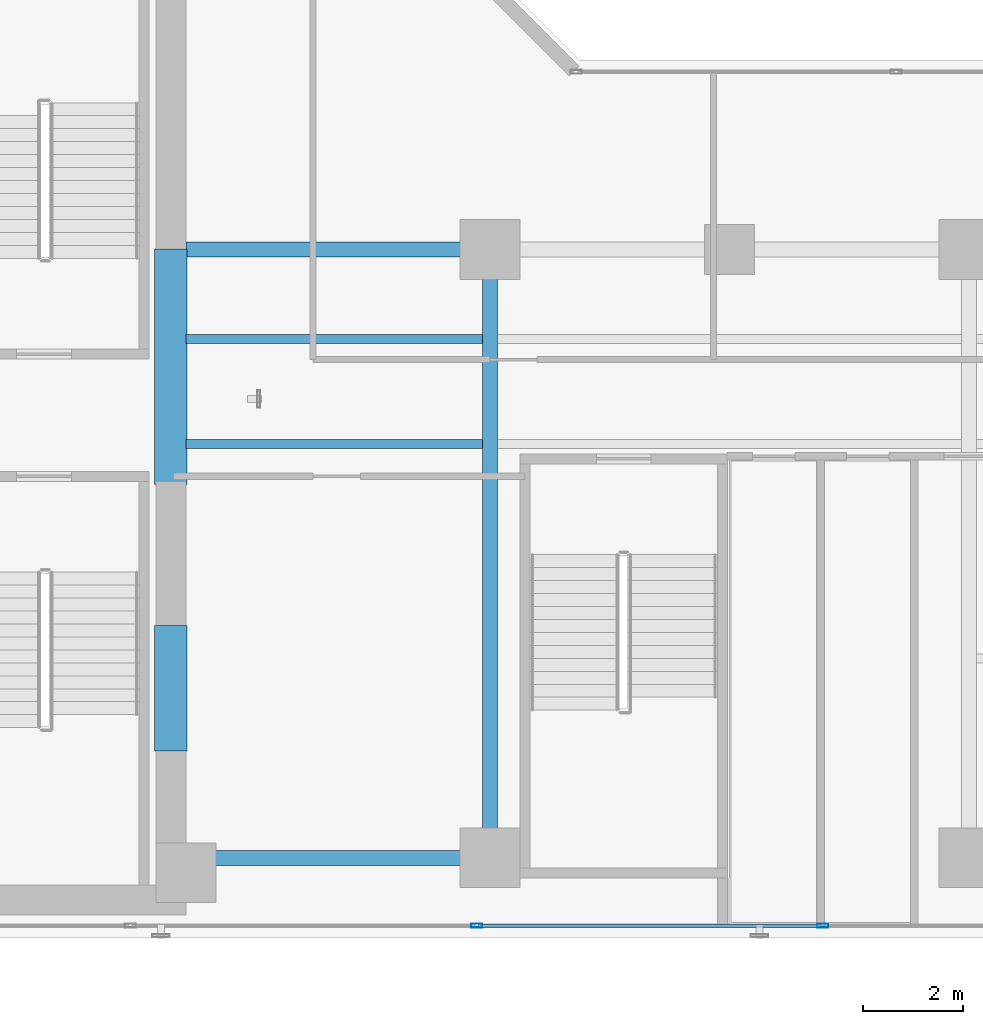
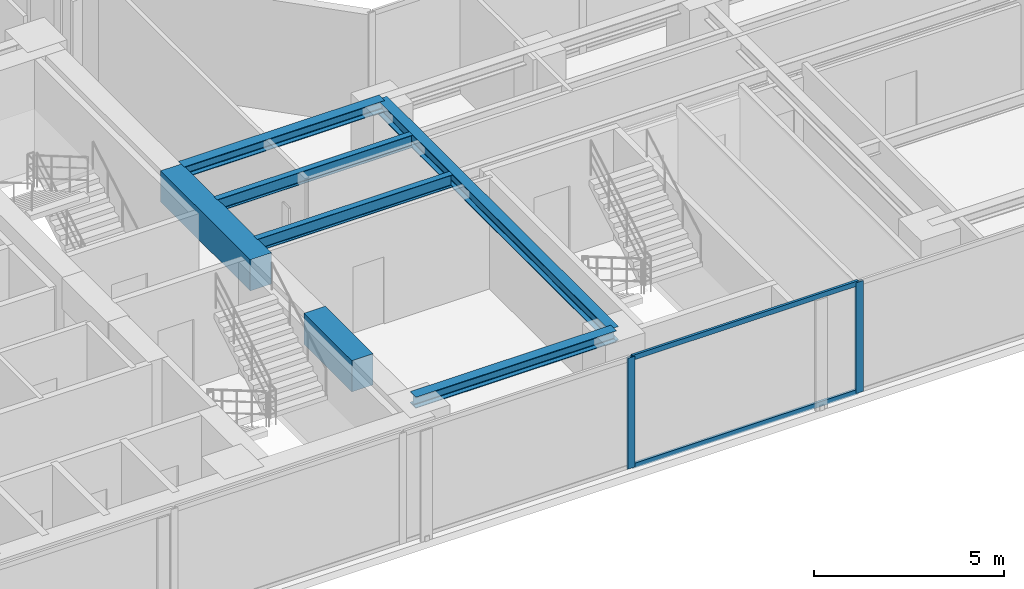
# One storey, part 4 of 26: 7 beams, 4 members, 1 element without a shape of its own.
"""IFC4 building model written with IfcOpenShell, lengths in metres."""

from ifc_helpers import new_model, si_unit, direction, frame, origin, origin_with_axes, origin_2d, place, context, subcontext, project, spatial, rectangle, hollow_rectangle, i_section, extrude, source, transform, mapped, material, layer, layer_set, material_profile, profile_set, type_object, element, aggregate, save


model = new_model("IFC4")

# Units and contexts
model_context = context("Model", 3, precision=1e-05, world=origin(), true_north=direction((0.0, 1.0)))
body_context = subcontext(model_context, "Body", "Model", "MODEL_VIEW")
ifc_project = project(units=[si_unit("LENGTHUNIT", "METRE"), si_unit("AREAUNIT", "SQUARE_METRE"), si_unit("VOLUMEUNIT", "CUBIC_METRE"), si_unit("PLANEANGLEUNIT", "RADIAN"), si_unit("MASSUNIT", "GRAM", prefix="KILO")], contexts=[model_context])

# Site, building, storey
site_placement = place(None, origin())
site = spatial("IfcSite", under=ifc_project, at=site_placement, CompositionType="ELEMENT")
building_placement = place(site_placement, origin())
building = spatial("IfcBuilding", under=site, at=building_placement, Name="Kolvaren Waterfront Exchange", CompositionType="ELEMENT")
storey_placement = place(building_placement, frame((0.0, 0.0, 165.199951171875)))
storey = spatial("IfcBuildingStorey", under=building, at=storey_placement, Name="L42", CompositionType="ELEMENT", Elevation=165.199951171875)

# Beams
ifc_material_1 = material(Name="Steel S355", Category="steel")
ifc_material_profile_1 = material_profile(ifc_material_1, i_section(OverallWidth=0.300048828125, OverallDepth=0.360107421875, WebThickness=0.012451171875, FlangeThickness=0.0224609375, FilletRadius=0.027099609375, at=origin_2d()), Name="HEB360")
ifc_profile_set_1 = profile_set([ifc_material_profile_1], Name="Steel S355")
beam_type_1 = type_object("IfcBeamType", Name="STR-BM-HEB360", PredefinedType="SPANDREL", material=ifc_profile_set_1)
for number, where, z_axis, x_axis, name in (
    (1, (21.10009765625, 5.199951171875, 3.380126953125), (1.0, 0.0, 0.0), (0.0, 1.0, 0.0), "L42 east-arm spandrel S1"),
    (2, (21.10009765625, 17.39990234375, 3.380126953125), (1.0, 0.0, 0.0), (0.0, 1.0, 0.0), "L42 east-arm spandrel N1"),
):
    element("IfcBeam", number, at=place(storey_placement, frame(where, z_axis=z_axis, x_axis=x_axis)), inside=storey, type_object=beam_type_1, Name=name, PredefinedType="SPANDREL", context=body_context, shape_type="SweptSolid", body=[
        extrude(i_section(OverallWidth=0.300048828125, OverallDepth=0.360107421875, WebThickness=0.012451171875, FlangeThickness=0.0224609375, FilletRadius=0.027099609375, at=origin_2d()), origin(), (0.0, 0.0, 1.0), 6.099853515625),
    ])
ifc_material_profile_2 = material_profile(ifc_material_1, i_section(OverallWidth=0.300048828125, OverallDepth=0.449951171875, WebThickness=0.013916015625, FlangeThickness=0.02587890625, FilletRadius=0.027099609375, at=origin_2d()), Name="HEB450")
ifc_profile_set_2 = profile_set([ifc_material_profile_2], Name="Steel S355")
beam_type_2 = type_object("IfcBeamType", Name="STR-BM-HEB450", PredefinedType="BEAM", material=ifc_profile_set_2)
beam_1_placement = place(storey_placement, frame((27.199951171875, 5.199951171875, 3.3349609375), z_axis=(0.0, 1.0, 0.0), x_axis=(-1.0, 0.0, 0.0)))
element("IfcBeam", 3, at=beam_1_placement, inside=storey, type_object=beam_type_2, Name="L42 east-arm transverse girder X27", PredefinedType="BEAM", context=body_context, shape_type="SweptSolid", body=[
    extrude(i_section(OverallWidth=0.300048828125, OverallDepth=0.449951171875, WebThickness=0.013916015625, FlangeThickness=0.02587890625, FilletRadius=0.027099609375, at=origin_2d()), origin(), (0.0, 0.0, 1.0), 12.199951171875),
])
ifc_material_profile_3 = material_profile(ifc_material_1, i_section(OverallWidth=0.179931640625, OverallDepth=0.39990234375, WebThickness=0.008544921875, FlangeThickness=0.013427734375, FilletRadius=0.02099609375, at=origin_2d()), Name="IPE400")
ifc_profile_set_3 = profile_set([ifc_material_profile_3], Name="Steel S355")
beam_type_3 = type_object("IfcBeamType", Name="STR-BM-IPE400", PredefinedType="JOIST", material=ifc_profile_set_3)
for number, where, z_axis, x_axis, name in (
    (4, (21.10009765625, 13.5, 3.360107421875), (1.0, 0.0, 0.0), (0.0, 1.0, 0.0), "L42 east-arm composite joist 1A"),
    (5, (21.10009765625, 15.60009765625, 3.360107421875), (1.0, 0.0, 0.0), (0.0, 1.0, 0.0), "L42 east-arm composite joist 1C"),
):
    element("IfcBeam", number, at=place(storey_placement, frame(where, z_axis=z_axis, x_axis=x_axis)), inside=storey, type_object=beam_type_3, Name=name, PredefinedType="JOIST", context=body_context, shape_type="SweptSolid", body=[
        extrude(i_section(OverallWidth=0.179931640625, OverallDepth=0.39990234375, WebThickness=0.008544921875, FlangeThickness=0.013427734375, FilletRadius=0.02099609375, at=origin_2d()), origin(), (0.0, 0.0, 1.0), 5.947998046875),
    ])
ifc_material_2 = material(Name="Concrete C60/75", Category="concrete")
ifc_material_profile_4 = material_profile(ifc_material_2, rectangle(XDim=0.64990234375, YDim=1.0, at=origin_2d()), Name="RC-CB-1000x650")
ifc_profile_set_4 = profile_set([ifc_material_profile_4], Name="Concrete C60/75")
beam_type_4 = type_object("IfcBeamType", Name="STR-CB-1000", PredefinedType="SPANDREL", material=ifc_profile_set_4)
beam_2_placement = place(storey_placement, frame((20.800048828125, 7.340087890625, 3.06005859375), z_axis=(0.0, 1.0, 0.0), x_axis=(-1.0, 0.0, 0.0)))
element("IfcBeam", 6, at=beam_2_placement, inside=storey, type_object=beam_type_4, Name="L42 core coupling beam 1", PredefinedType="SPANDREL", context=body_context, shape_type="SweptSolid", body=[
    extrude(rectangle(XDim=0.64990234375, YDim=1.0, at=origin_2d()), origin(), (0.0, 0.0, 1.0), 2.52001953125),
])
beam_3_placement = place(storey_placement, frame((20.800048828125, 12.68994140625, 3.06005859375), z_axis=(0.0, 1.0, 0.0), x_axis=(-1.0, 0.0, 0.0)))
element("IfcBeam", 7, at=beam_3_placement, inside=storey, type_object=beam_type_4, Name="L42 core coupling beam 2", PredefinedType="SPANDREL", context=body_context, shape_type="SweptSolid", body=[
    extrude(rectangle(XDim=0.64990234375, YDim=1.0, at=origin_2d()), origin(), (0.0, 0.0, 1.0), 4.719970703125),
])

# Curtain wall, members
ifc_material_3 = material(Name="Anodised bronze aluminium 6063-T6", Category="aluminium")
ifc_layer = layer(ifc_material_3, 0.219970703125, Name="Anodised bronze aluminium 6063-T6")
ifc_layer_set = layer_set([ifc_layer], Name="Anodised bronze aluminium 6063-T6")
curtain_wall_type = type_object("IfcCurtainWallType", Name="ARC-CW-SYS1", PredefinedType="USERDEFINED", material=ifc_layer_set)
curtain_wall_placement = place(storey_placement, origin())
curtain_wall = element("IfcCurtainWall", 8, at=curtain_wall_placement, inside=storey, type_object=curtain_wall_type, Name="L42 stick curtain wall CW1 (CW-L42-S)", ObjectType="STICK CURTAIN WALL", PredefinedType="USERDEFINED")
ifc_material_4 = material(Name="Anodised aluminium 6063-T6", Category="aluminium")
ifc_material_profile_5 = material_profile(ifc_material_4, hollow_rectangle(XDim=0.080078125, YDim=0.219970703125, WallThickness=0.0048828125, at=origin_2d()), Name="ALU-MUL-220x80x5")
ifc_profile_set_5 = profile_set([ifc_material_profile_5], Name="Anodised aluminium 6063-T6")
member_type_1 = type_object("IfcMemberType", Name="ARC-CWM-220", PredefinedType="MULLION", material=ifc_profile_set_5)
shared_shape_1 = source(origin_with_axes(), body_context, "Body", "SweptSolid", [
    extrude(hollow_rectangle(XDim=0.080078125, YDim=0.219970703125, WallThickness=0.0048828125, at=origin_2d()), origin(), (0.0, 0.0, 1.0), 3.56005859375),
])
member_1_placement = place(storey_placement, frame((26.928466796875, 3.840087890625, 0.0), z_axis=(0.0, 0.0, 1.0), x_axis=(0.0, 1.0, 0.0)))
member_1 = element("IfcMember", 9, at=member_1_placement, type_object=member_type_1, Name="CW1 mullion 4", PredefinedType="MULLION", context=body_context, shape_type="MappedRepresentation", body=[
    mapped(shared_shape_1, transform((0.0, 0.0, 0.0), x_axis=(1.0, 0.0, 0.0), y_axis=(0.0, 1.0, 0.0), z_axis=(0.0, 0.0, 1.0), scale=1.0)),
])
member_2_placement = place(storey_placement, frame((33.871337890625, 3.840087890625, 0.0), z_axis=(0.0, 0.0, 1.0), x_axis=(0.0, 1.0, 0.0)))
member_2 = element("IfcMember", 10, at=member_2_placement, type_object=member_type_1, Name="CW1 mullion 5", PredefinedType="MULLION", context=body_context, shape_type="MappedRepresentation", body=[
    mapped(shared_shape_1, transform((0.0, 0.0, 0.0), x_axis=(1.0, 0.0, 0.0), y_axis=(0.0, 1.0, 0.0), z_axis=(0.0, 0.0, 1.0), scale=1.0)),
])
ifc_material_profile_6 = material_profile(ifc_material_4, hollow_rectangle(XDim=0.074951171875, YDim=0.159912109375, WallThickness=0.00439453125, at=origin_2d()), Name="ALU-TRN-160x75x4.5")
ifc_profile_set_6 = profile_set([ifc_material_profile_6], Name="Anodised aluminium 6063-T6")
member_type_2 = type_object("IfcMemberType", Name="ARC-CWT-160", PredefinedType="USERDEFINED", material=ifc_profile_set_6)
shared_shape_2 = source(origin_with_axes(), body_context, "Body", "SweptSolid", [
    extrude(hollow_rectangle(XDim=0.074951171875, YDim=0.159912109375, WallThickness=0.00439453125, at=origin_2d()), origin(), (0.0, 0.0, 1.0), 6.863037109375),
])
member_3_placement = place(storey_placement, frame((26.968505859375, 3.840087890625, 0.03759765625), z_axis=(1.0, 0.0, 0.0), x_axis=(0.0, 1.0, 0.0)))
member_3 = element("IfcMember", 11, at=member_3_placement, type_object=member_type_2, Name="CW1 transom 4.1", ObjectType="TRANSOM", PredefinedType="USERDEFINED", context=body_context, shape_type="MappedRepresentation", body=[
    mapped(shared_shape_2, transform((0.0, 0.0, 0.0), x_axis=(1.0, 0.0, 0.0), y_axis=(0.0, 1.0, 0.0), z_axis=(0.0, 0.0, 1.0), scale=1.0)),
])
member_4_placement = place(storey_placement, frame((26.968505859375, 3.840087890625, 3.5224609375), z_axis=(1.0, 0.0, 0.0), x_axis=(0.0, 1.0, 0.0)))
member_4 = element("IfcMember", 12, at=member_4_placement, type_object=member_type_2, Name="CW1 transom 4.2", ObjectType="TRANSOM", PredefinedType="USERDEFINED", context=body_context, shape_type="MappedRepresentation", body=[
    mapped(shared_shape_2, transform((0.0, 0.0, 0.0), x_axis=(1.0, 0.0, 0.0), y_axis=(0.0, 1.0, 0.0), z_axis=(0.0, 0.0, 1.0), scale=1.0)),
])
aggregate(curtain_wall, [member_1, member_2, member_3, member_4])

save(model, "model.ifc")
